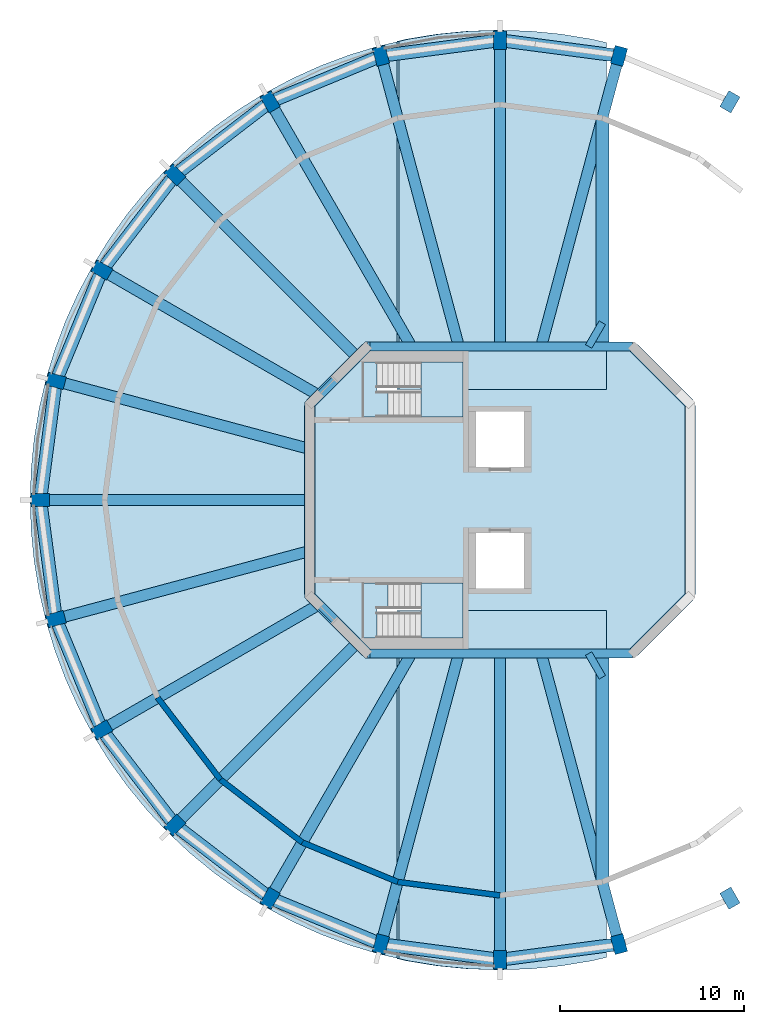
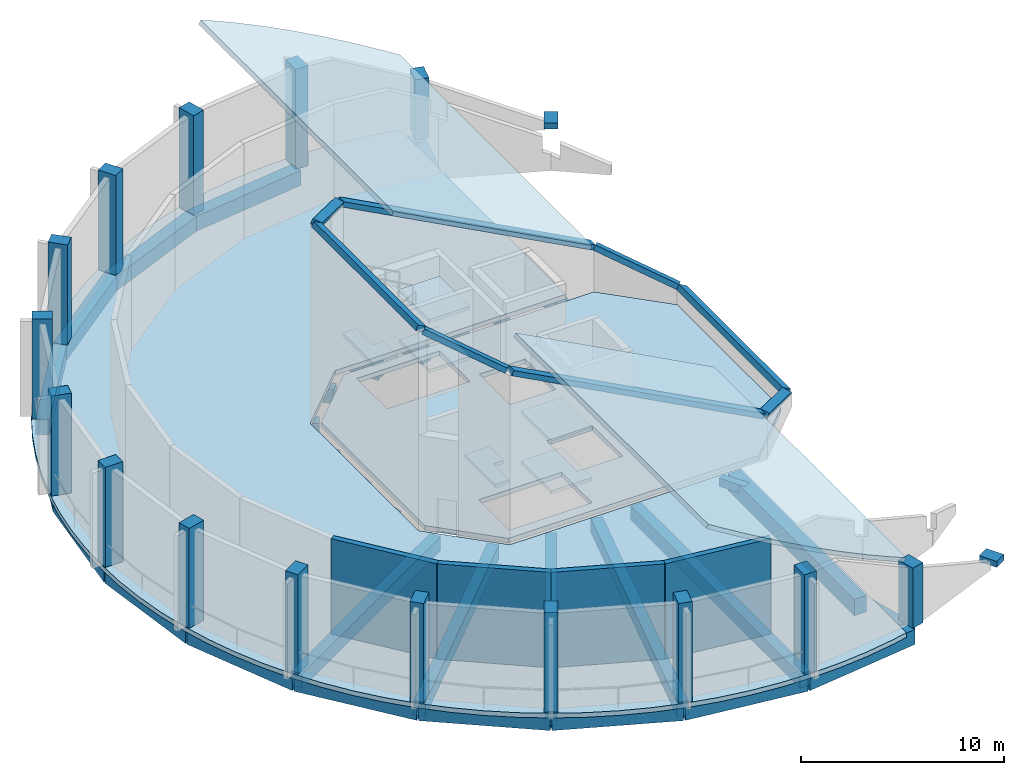
# One storey, part 1 of 5: 41 beams, 17 columns, 10 slabs, 4 walls, 2 elements without a shape of their own.
"""IFC4 building model written with IfcOpenShell, lengths in metres."""

from ifc_helpers import new_model, si_unit, direction, frame, origin, origin_2d, place, context, subcontext, project, spatial, polyline, rectangle, outline, extrude, material, layer, layer_set, material_profile, profile_set, type_object, element, aggregate, save


model = new_model("IFC4")

# Units and contexts
model_context = context("Model", 3, precision=1e-05, world=origin(), true_north=direction((0.0, 1.0)))
body_context = subcontext(model_context, "Body", "Model", "MODEL_VIEW")
ifc_project = project(units=[si_unit("LENGTHUNIT", "METRE"), si_unit("AREAUNIT", "SQUARE_METRE"), si_unit("VOLUMEUNIT", "CUBIC_METRE"), si_unit("PLANEANGLEUNIT", "RADIAN"), si_unit("MASSUNIT", "GRAM", prefix="KILO")], contexts=[model_context])

# Site, building, storey
site_placement = place(None, origin())
site = spatial("IfcSite", under=ifc_project, at=site_placement, CompositionType="ELEMENT")
building_placement = place(site_placement, origin())
building = spatial("IfcBuilding", under=site, at=building_placement, Name="Torre Triforio", CompositionType="ELEMENT")
storey_placement = place(building_placement, frame((0.0, 0.0, 296.800048828125)))
storey = spatial("IfcBuildingStorey", under=building, at=storey_placement, Name="RF-2", CompositionType="ELEMENT", Elevation=296.800048828125)

# Columns
ifc_material_1 = material(Name="Concrete C40", Category="concrete")
ifc_material_profile_1 = material_profile(ifc_material_1, rectangle(XDim=0.699951171875, YDim=1.0, at=origin_2d()), Name="RC 700x1000")
ifc_profile_set_1 = profile_set([ifc_material_profile_1], Name="Concrete C40")
column_type = type_object("IfcColumnType", Name="Pier RC 700x1000 C40", PredefinedType="COLUMN", material=ifc_profile_set_1)
column_1_placement = place(storey_placement, frame((12.5, 21.650634765625, 0.0), z_axis=(0.0, 0.0, 1.0), x_axis=(-0.866025403784, 0.5, 0.0)))
element("IfcColumn", 1, at=column_1_placement, inside=storey, type_object=column_type, Name="COL.R.RF-2.04", PredefinedType="COLUMN", context=body_context, shape_type="SweptSolid", body=[
    extrude(rectangle(XDim=0.699951171875, YDim=1.0, at=origin_2d()), origin(), (0.0, 0.0, 1.0), 0.359619140625),
])
column_2_placement = place(storey_placement, frame((6.470458984375, 24.148193359375, 0.0), z_axis=(0.0, 0.0, 1.0), x_axis=(-0.965925826289, 0.258819045103, 0.0)))
element("IfcColumn", 2, at=column_2_placement, inside=storey, type_object=column_type, Name="COL.R.RF-2.05", PredefinedType="COLUMN", context=body_context, shape_type="SweptSolid", body=[
    extrude(rectangle(XDim=0.699951171875, YDim=1.0, at=origin_2d()), origin(), (0.0, 0.0, 1.0), 3.611083984375),
])
for number, where, z_axis, x_axis, name in (
    (3, (0.0, 25.0, 0.0), (0.0, 0.0, 1.0), (-1.0, 0.0, 0.0), "COL.R.RF-2.06"),
    (4, (-6.470458984375, 24.148193359375, 0.0), (0.0, 0.0, 1.0), (-0.965925826289, -0.258819045103, 0.0), "COL.R.RF-2.07"),
    (5, (-12.5, 21.650634765625, 0.0), (0.0, 0.0, 1.0), (-0.866025403784, -0.5, 0.0), "COL.R.RF-2.08"),
    (6, (-17.677734375, 17.677734375, 0.0), (0.0, 0.0, 1.0), (-0.707106781187, -0.707106781187, 0.0), "COL.R.RF-2.09"),
    (7, (-21.650634765625, 12.5, 0.0), (0.0, 0.0, 1.0), (-0.5, -0.866025403784, 0.0), "COL.R.RF-2.10"),
    (8, (-24.148193359375, 6.470458984375, 0.0), (0.0, 0.0, 1.0), (-0.258819045103, -0.965925826289, 0.0), "COL.R.RF-2.11"),
    (9, (-25.0, 0.0, 0.0), (0.0, 0.0, 1.0), (0.0, -1.0, 0.0), "COL.R.RF-2.12"),
    (10, (-24.148193359375, -6.470458984375, 0.0), (0.0, 0.0, 1.0), (0.258819045103, -0.965925826289, 0.0), "COL.R.RF-2.13"),
    (11, (-21.650634765625, -12.5, 0.0), (0.0, 0.0, 1.0), (0.5, -0.866025403784, 0.0), "COL.R.RF-2.14"),
    (12, (-17.677734375, -17.677734375, 0.0), (0.0, 0.0, 1.0), (0.707106781187, -0.707106781187, 0.0), "COL.R.RF-2.15"),
    (13, (-12.5, -21.650634765625, 0.0), (0.0, 0.0, 1.0), (0.866025403784, -0.5, 0.0), "COL.R.RF-2.16"),
    (14, (-6.470458984375, -24.148193359375, 0.0), (0.0, 0.0, 1.0), (0.965925826289, -0.258819045103, 0.0), "COL.R.RF-2.17"),
    (15, (0.0, -25.0, 0.0), (0.0, 0.0, 1.0), (1.0, 0.0, 0.0), "COL.R.RF-2.18"),
):
    element("IfcColumn", number, at=place(storey_placement, frame(where, z_axis=z_axis, x_axis=x_axis)), inside=storey, type_object=column_type, Name=name, PredefinedType="COLUMN", context=body_context, shape_type="SweptSolid", body=[
        extrude(rectangle(XDim=0.699951171875, YDim=1.0, at=origin_2d()), origin(), (0.0, 0.0, 1.0), 6.0),
    ])
column_3_placement = place(storey_placement, frame((6.470458984375, -24.148193359375, 0.0), z_axis=(0.0, 0.0, 1.0), x_axis=(0.965925826289, 0.258819045103, 0.0)))
element("IfcColumn", 16, at=column_3_placement, inside=storey, type_object=column_type, Name="COL.R.RF-2.19", PredefinedType="COLUMN", context=body_context, shape_type="SweptSolid", body=[
    extrude(rectangle(XDim=0.699951171875, YDim=1.0, at=origin_2d()), origin(), (0.0, 0.0, 1.0), 3.611083984375),
])
column_4_placement = place(storey_placement, frame((12.5, -21.650634765625, 0.0), z_axis=(0.0, 0.0, 1.0), x_axis=(0.866025403784, 0.5, 0.0)))
element("IfcColumn", 17, at=column_4_placement, inside=storey, type_object=column_type, Name="COL.R.RF-2.20", PredefinedType="COLUMN", context=body_context, shape_type="SweptSolid", body=[
    extrude(rectangle(XDim=0.699951171875, YDim=1.0, at=origin_2d()), origin(), (0.0, 0.0, 1.0), 0.359619140625),
])

# Beams
ifc_material_profile_2 = material_profile(ifc_material_1, rectangle(XDim=0.5, YDim=0.300048828125, at=origin_2d()), Name="RC 500x300")
ifc_profile_set_2 = profile_set([ifc_material_profile_2], Name="Concrete C40")
beam_type_1 = type_object("IfcBeamType", Name="Core head ring beam RC 500x300 C40", PredefinedType="BEAM", material=ifc_profile_set_2)
beam_1_placement = place(storey_placement, frame((10.35009765625, -5.1298828125, 0.93115234375), z_axis=(0.0, 1.0, 0.0), x_axis=(-0.882947592859, 0.0, 0.469471562786)))
element("IfcBeam", 18, at=beam_1_placement, inside=storey, type_object=beam_type_1, Name="BM.HEAD.1", PredefinedType="BEAM", context=body_context, shape_type="SweptSolid", body=[
    extrude(rectangle(XDim=0.5, YDim=0.300048828125, at=origin_2d()), origin(), (0.0, 0.0, 1.0), 10.259765625),
])
beam_2_placement = place(storey_placement, frame((-7.1298828125, 8.35009765625, 10.2255859375), z_axis=(0.882941855993, 0.0, -0.469482352102), x_axis=(0.0, 1.0, 0.0)))
element("IfcBeam", 19, at=beam_2_placement, inside=storey, type_object=beam_type_1, Name="BM.HEAD.2", PredefinedType="BEAM", context=body_context, shape_type="SweptSolid", body=[
    extrude(rectangle(XDim=0.5, YDim=0.300048828125, at=origin_2d()), origin(), (0.0, 0.0, 1.0), 16.150390625),
])
beam_3_placement = place(storey_placement, frame((7.27685546875, 8.27685546875, 2.565185546875), z_axis=(0.661880330518, -0.661880330518, -0.351893245384), x_axis=(0.584405646008, 0.749609516789, -0.310733991145)))
element("IfcBeam", 20, at=beam_3_placement, inside=storey, type_object=beam_type_1, Name="BM.HEAD.3", PredefinedType="BEAM", context=body_context, shape_type="SweptSolid", body=[
    extrude(rectangle(XDim=0.5, YDim=0.300048828125, at=origin_2d()), origin(), (0.0, 0.0, 1.0), 4.532470703125),
])
beam_4_placement = place(storey_placement, frame((-10.27685546875, 5.27685546875, 11.898681640625), z_axis=(0.661867784394, 0.661867784394, -0.351940438089), x_axis=(-0.584394568192, 0.749620594605, 0.310728101097)))
element("IfcBeam", 21, at=beam_4_placement, inside=storey, type_object=beam_type_1, Name="BM.HEAD.4", PredefinedType="BEAM", context=body_context, shape_type="SweptSolid", body=[
    extrude(rectangle(XDim=0.5, YDim=0.300048828125, at=origin_2d()), origin(), (0.0, 0.0, 1.0), 4.53271484375),
])
beam_5_placement = place(storey_placement, frame((-7.1298828125, -8.35009765625, 10.2255859375), z_axis=(0.882941855993, 0.0, -0.469482352102), x_axis=(0.0, 1.0, 0.0)))
element("IfcBeam", 22, at=beam_5_placement, inside=storey, type_object=beam_type_1, Name="BM.HEAD.5", PredefinedType="BEAM", context=body_context, shape_type="SweptSolid", body=[
    extrude(rectangle(XDim=0.5, YDim=0.300048828125, at=origin_2d()), origin(), (0.0, 0.0, 1.0), 16.150390625),
])
beam_6_placement = place(storey_placement, frame((10.27685546875, -5.27685546875, 0.97021484375), z_axis=(-0.661880330518, -0.661880330518, 0.351893245384), x_axis=(0.584405646008, -0.749609516789, -0.310733991145)))
element("IfcBeam", 23, at=beam_6_placement, inside=storey, type_object=beam_type_1, Name="BM.HEAD.6", PredefinedType="BEAM", context=body_context, shape_type="SweptSolid", body=[
    extrude(rectangle(XDim=0.5, YDim=0.300048828125, at=origin_2d()), origin(), (0.0, 0.0, 1.0), 4.532470703125),
])
beam_7_placement = place(storey_placement, frame((-7.27685546875, -8.27685546875, 10.303466796875), z_axis=(-0.661867784394, 0.661867784394, 0.351940438089), x_axis=(-0.584394568192, -0.749620594605, 0.310728101097)))
element("IfcBeam", 24, at=beam_7_placement, inside=storey, type_object=beam_type_1, Name="BM.HEAD.7", PredefinedType="BEAM", context=body_context, shape_type="SweptSolid", body=[
    extrude(rectangle(XDim=0.5, YDim=0.300048828125, at=origin_2d()), origin(), (0.0, 0.0, 1.0), 4.53271484375),
])
beam_8_placement = place(storey_placement, frame((-10.35009765625, -5.1298828125, 11.937744140625), z_axis=(0.0, 1.0, 0.0), x_axis=(-0.882947592859, 0.0, 0.469471562786)))
element("IfcBeam", 25, at=beam_8_placement, inside=storey, type_object=beam_type_1, Name="BM.HEAD.8", PredefinedType="BEAM", context=body_context, shape_type="SweptSolid", body=[
    extrude(rectangle(XDim=0.5, YDim=0.300048828125, at=origin_2d()), origin(), (0.0, 0.0, 1.0), 10.259765625),
])
ifc_material_profile_3 = material_profile(ifc_material_1, rectangle(XDim=0.699951171875, YDim=1.0, at=origin_2d()), Name="RC 700x1000")
ifc_profile_set_3 = profile_set([ifc_material_profile_3], Name="Concrete C40")
beam_type_2 = type_object("IfcBeamType", Name="Edge beam RC 700x1000 C40", PredefinedType="BEAM", material=ifc_profile_set_3)
for number, where, z_axis, x_axis, name in (
    (26, (5.564697265625, -20.767333984375, -0.780029296875), (0.0, 1.0, 0.0), (-1.0, 0.0, 0.0), "BM.E.RF-2.1"),
    (27, (5.564697265625, 8.35009765625, -0.780029296875), (0.0, 1.0, 0.0), (-1.0, 0.0, 0.0), "BM.E.RF-2.2"),
):
    element("IfcBeam", number, at=place(storey_placement, frame(where, z_axis=z_axis, x_axis=x_axis)), inside=storey, type_object=beam_type_2, Name=name, PredefinedType="BEAM", context=body_context, shape_type="SweptSolid", body=[
        extrude(rectangle(XDim=0.699951171875, YDim=1.0, at=origin_2d()), origin(), (0.0, 0.0, 1.0), 12.417236328125),
    ])
ifc_material_profile_4 = material_profile(ifc_material_1, rectangle(XDim=0.39990234375, YDim=0.5, at=origin_2d()), Name="RC 400x500")
ifc_profile_set_4 = profile_set([ifc_material_profile_4], Name="Concrete C40")
beam_type_3 = type_object("IfcBeamType", Name="Radial beam RC 400x500 C40", PredefinedType="BEAM", material=ifc_profile_set_4)
for number, where, z_axis, x_axis, name in (
    (28, (4.82080078125, 8.35009765625, -0.530029296875), (0.500110782645, 0.865961433946, 0.0), (-0.865961433946, 0.500110782645, 0.0), "BM.R.RF-2.04"),
    (29, (4.82080078125, -8.35009765625, -0.530029296875), (0.500110782645, -0.865961433946, 0.0), (0.865961433946, 0.500110782645, 0.0), "BM.R.RF-2.20"),
):
    element("IfcBeam", number, at=place(storey_placement, frame(where, z_axis=z_axis, x_axis=x_axis)), inside=storey, type_object=beam_type_3, Name=name, PredefinedType="BEAM", context=body_context, shape_type="SweptSolid", body=[
        extrude(rectangle(XDim=0.39990234375, YDim=0.5, at=origin_2d()), origin(), (0.0, 0.0, 1.0), 1.487548828125),
    ])
ifc_material_profile_5 = material_profile(ifc_material_1, rectangle(XDim=0.60009765625, YDim=0.85009765625, at=origin_2d()), Name="RC 600x850")
ifc_profile_set_5 = profile_set([ifc_material_profile_5], Name="Concrete C40")
beam_type_4 = type_object("IfcBeamType", Name="Radial beam RC 600x850 C40", PredefinedType="BEAM", material=ifc_profile_set_5)
beam_9_placement = place(storey_placement, frame((2.2373046875, 8.35009765625, -0.705078125), z_axis=(0.258822884948, 0.965924797397, 0.0), x_axis=(-0.965924797397, 0.258822884948, 0.0)))
element("IfcBeam", 30, at=beam_9_placement, inside=storey, type_object=beam_type_4, Name="BM.R.RF-2.05", PredefinedType="BEAM", context=body_context, shape_type="SweptSolid", body=[
    extrude(rectangle(XDim=0.60009765625, YDim=0.85009765625, at=origin_2d()), origin(), (0.0, 0.0, 1.0), 16.35546875),
])
beam_10_placement = place(storey_placement, frame((0.0, 8.35009765625, -0.705078125), z_axis=(0.0, 1.0, 0.0), x_axis=(-1.0, 0.0, 0.0)))
element("IfcBeam", 31, at=beam_10_placement, inside=storey, type_object=beam_type_4, Name="BM.R.RF-2.06", PredefinedType="BEAM", context=body_context, shape_type="SweptSolid", body=[
    extrude(rectangle(XDim=0.60009765625, YDim=0.85009765625, at=origin_2d()), origin(), (0.0, 0.0, 1.0), 16.64990234375),
])
beam_11_placement = place(storey_placement, frame((-2.2373046875, 8.35009765625, -0.705078125), z_axis=(-0.258822884948, 0.965924797397, 0.0), x_axis=(-0.965924797397, -0.258822884948, 0.0)))
element("IfcBeam", 32, at=beam_11_placement, inside=storey, type_object=beam_type_4, Name="BM.R.RF-2.07", PredefinedType="BEAM", context=body_context, shape_type="SweptSolid", body=[
    extrude(rectangle(XDim=0.60009765625, YDim=0.85009765625, at=origin_2d()), origin(), (0.0, 0.0, 1.0), 16.35546875),
])
beam_12_placement = place(storey_placement, frame((-4.82080078125, 8.35009765625, -0.705078125), z_axis=(-0.500006374672, 0.866021723334, 0.0), x_axis=(-0.866021723334, -0.500006374672, 0.0)))
element("IfcBeam", 33, at=beam_12_placement, inside=storey, type_object=beam_type_4, Name="BM.R.RF-2.08", PredefinedType="BEAM", context=body_context, shape_type="SweptSolid", body=[
    extrude(rectangle(XDim=0.60009765625, YDim=0.85009765625, at=origin_2d()), origin(), (0.0, 0.0, 1.0), 15.358154296875),
])
beam_13_placement = place(storey_placement, frame((-7.77685546875, 7.77685546875, -0.705078125), z_axis=(-0.707106781187, 0.707106781187, 0.0), x_axis=(-0.707106781187, -0.707106781187, 0.0)))
element("IfcBeam", 34, at=beam_13_placement, inside=storey, type_object=beam_type_4, Name="BM.R.RF-2.09", PredefinedType="BEAM", context=body_context, shape_type="SweptSolid", body=[
    extrude(rectangle(XDim=0.60009765625, YDim=0.85009765625, at=origin_2d()), origin(), (0.0, 0.0, 1.0), 14.001953125),
])
beam_14_placement = place(storey_placement, frame((-9.860595703125, 5.693115234375, -0.705078125), z_axis=(-0.866028503669, 0.499994630804, 0.0), x_axis=(-0.499994630804, -0.866028503669, 0.0)))
element("IfcBeam", 35, at=beam_14_placement, inside=storey, type_object=beam_type_4, Name="BM.R.RF-2.10", PredefinedType="BEAM", context=body_context, shape_type="SweptSolid", body=[
    extrude(rectangle(XDim=0.60009765625, YDim=0.85009765625, at=origin_2d()), origin(), (0.0, 0.0, 1.0), 13.614013671875),
])
beam_15_placement = place(storey_placement, frame((-10.35009765625, 2.773193359375, -0.705078125), z_axis=(-0.965924478271, 0.258824075923, 0.0), x_axis=(-0.258824075923, -0.965924478271, 0.0)))
element("IfcBeam", 36, at=beam_15_placement, inside=storey, type_object=beam_type_4, Name="BM.R.RF-2.11", PredefinedType="BEAM", context=body_context, shape_type="SweptSolid", body=[
    extrude(rectangle(XDim=0.60009765625, YDim=0.85009765625, at=origin_2d()), origin(), (0.0, 0.0, 1.0), 14.284912109375),
])
beam_16_placement = place(storey_placement, frame((-10.35009765625, 0.0, -0.705078125), z_axis=(-1.0, 0.0, 0.0), x_axis=(0.0, -1.0, 0.0)))
element("IfcBeam", 37, at=beam_16_placement, inside=storey, type_object=beam_type_4, Name="BM.R.RF-2.12", PredefinedType="BEAM", context=body_context, shape_type="SweptSolid", body=[
    extrude(rectangle(XDim=0.60009765625, YDim=0.85009765625, at=origin_2d()), origin(), (0.0, 0.0, 1.0), 14.64990234375),
])
beam_17_placement = place(storey_placement, frame((-10.35009765625, -2.773193359375, -0.705078125), z_axis=(-0.965924478271, -0.258824075923, 0.0), x_axis=(0.258824075923, -0.965924478271, 0.0)))
element("IfcBeam", 38, at=beam_17_placement, inside=storey, type_object=beam_type_4, Name="BM.R.RF-2.13", PredefinedType="BEAM", context=body_context, shape_type="SweptSolid", body=[
    extrude(rectangle(XDim=0.60009765625, YDim=0.85009765625, at=origin_2d()), origin(), (0.0, 0.0, 1.0), 14.284912109375),
])
beam_18_placement = place(storey_placement, frame((-9.860595703125, -5.693115234375, -0.705078125), z_axis=(-0.866028503669, -0.499994630804, 0.0), x_axis=(0.499994630804, -0.866028503669, 0.0)))
element("IfcBeam", 39, at=beam_18_placement, inside=storey, type_object=beam_type_4, Name="BM.R.RF-2.14", PredefinedType="BEAM", context=body_context, shape_type="SweptSolid", body=[
    extrude(rectangle(XDim=0.60009765625, YDim=0.85009765625, at=origin_2d()), origin(), (0.0, 0.0, 1.0), 13.614013671875),
])
beam_19_placement = place(storey_placement, frame((-7.77685546875, -7.77685546875, -0.705078125), z_axis=(-0.707106781187, -0.707106781187, 0.0), x_axis=(0.707106781187, -0.707106781187, 0.0)))
element("IfcBeam", 40, at=beam_19_placement, inside=storey, type_object=beam_type_4, Name="BM.R.RF-2.15", PredefinedType="BEAM", context=body_context, shape_type="SweptSolid", body=[
    extrude(rectangle(XDim=0.60009765625, YDim=0.85009765625, at=origin_2d()), origin(), (0.0, 0.0, 1.0), 14.001953125),
])
beam_20_placement = place(storey_placement, frame((-4.82080078125, -8.35009765625, -0.705078125), z_axis=(-0.500006374672, -0.866021723334, 0.0), x_axis=(0.866021723334, -0.500006374672, 0.0)))
element("IfcBeam", 41, at=beam_20_placement, inside=storey, type_object=beam_type_4, Name="BM.R.RF-2.16", PredefinedType="BEAM", context=body_context, shape_type="SweptSolid", body=[
    extrude(rectangle(XDim=0.60009765625, YDim=0.85009765625, at=origin_2d()), origin(), (0.0, 0.0, 1.0), 15.358154296875),
])
beam_21_placement = place(storey_placement, frame((-2.2373046875, -8.35009765625, -0.705078125), z_axis=(-0.258822884948, -0.965924797397, 0.0), x_axis=(0.965924797397, -0.258822884948, 0.0)))
element("IfcBeam", 42, at=beam_21_placement, inside=storey, type_object=beam_type_4, Name="BM.R.RF-2.17", PredefinedType="BEAM", context=body_context, shape_type="SweptSolid", body=[
    extrude(rectangle(XDim=0.60009765625, YDim=0.85009765625, at=origin_2d()), origin(), (0.0, 0.0, 1.0), 16.35546875),
])
beam_22_placement = place(storey_placement, frame((0.0, -8.35009765625, -0.705078125), z_axis=(0.0, -1.0, 0.0), x_axis=(1.0, 0.0, 0.0)))
element("IfcBeam", 43, at=beam_22_placement, inside=storey, type_object=beam_type_4, Name="BM.R.RF-2.18", PredefinedType="BEAM", context=body_context, shape_type="SweptSolid", body=[
    extrude(rectangle(XDim=0.60009765625, YDim=0.85009765625, at=origin_2d()), origin(), (0.0, 0.0, 1.0), 16.64990234375),
])
beam_23_placement = place(storey_placement, frame((2.2373046875, -8.35009765625, -0.705078125), z_axis=(0.258822884948, -0.965924797397, 0.0), x_axis=(0.965924797397, 0.258822884948, 0.0)))
element("IfcBeam", 44, at=beam_23_placement, inside=storey, type_object=beam_type_4, Name="BM.R.RF-2.19", PredefinedType="BEAM", context=body_context, shape_type="SweptSolid", body=[
    extrude(rectangle(XDim=0.60009765625, YDim=0.85009765625, at=origin_2d()), origin(), (0.0, 0.0, 1.0), 16.35546875),
])
ifc_material_profile_6 = material_profile(ifc_material_1, rectangle(XDim=0.699951171875, YDim=0.89990234375, at=origin_2d()), Name="RC 700x900")
ifc_profile_set_6 = profile_set([ifc_material_profile_6], Name="Concrete C40")
beam_type_5 = type_object("IfcBeamType", Name="Spandrel beam RC 700x900 C40", PredefinedType="SPANDREL", material=ifc_profile_set_6)
for number, where, z_axis, x_axis, name in (
    (45, (6.470458984375, 24.148193359375, -0.72998046875), (-0.991445762482, 0.130519347444, 0.0), (-0.130519347444, -0.991445762482, 0.0), "BM.S.RF-2.05"),
    (46, (0.0, 25.0, -0.72998046875), (-0.991445762482, -0.130519347444, 0.0), (0.130519347444, -0.991445762482, 0.0), "BM.S.RF-2.06"),
    (47, (-6.470458984375, 24.148193359375, -0.72998046875), (-0.923877315173, -0.382688785449, 0.0), (0.382688785449, -0.923877315173, 0.0), "BM.S.RF-2.07"),
    (48, (-12.5, 21.650634765625, -0.72998046875), (-0.793361845441, -0.608750344722, 0.0), (0.608750344722, -0.793361845441, 0.0), "BM.S.RF-2.08"),
    (49, (-17.677734375, 17.677734375, -0.72998046875), (-0.608750344722, -0.793361845441, 0.0), (0.793361845441, -0.608750344722, 0.0), "BM.S.RF-2.09"),
    (50, (-21.650634765625, 12.5, -0.72998046875), (-0.382688785449, -0.923877315173, 0.0), (0.923877315173, -0.382688785449, 0.0), "BM.S.RF-2.10"),
    (51, (-24.148193359375, 6.470458984375, -0.72998046875), (-0.130519347444, -0.991445762482, 0.0), (0.991445762482, -0.130519347444, 0.0), "BM.S.RF-2.11"),
    (52, (-25.0, 0.0, -0.72998046875), (0.130519347444, -0.991445762482, 0.0), (0.991445762482, 0.130519347444, 0.0), "BM.S.RF-2.12"),
    (53, (-24.148193359375, -6.470458984375, -0.72998046875), (0.382688785449, -0.923877315173, 0.0), (0.923877315173, 0.382688785449, 0.0), "BM.S.RF-2.13"),
    (54, (-21.650634765625, -12.5, -0.72998046875), (0.608750344722, -0.793361845441, 0.0), (0.793361845441, 0.608750344722, 0.0), "BM.S.RF-2.14"),
    (55, (-17.677734375, -17.677734375, -0.72998046875), (0.793361845441, -0.608750344722, 0.0), (0.608750344722, 0.793361845441, 0.0), "BM.S.RF-2.15"),
    (56, (-12.5, -21.650634765625, -0.72998046875), (0.923877315173, -0.382688785449, 0.0), (0.382688785449, 0.923877315173, 0.0), "BM.S.RF-2.16"),
    (57, (-6.470458984375, -24.148193359375, -0.72998046875), (0.991445762482, -0.130519347444, 0.0), (0.130519347444, 0.991445762482, 0.0), "BM.S.RF-2.17"),
    (58, (0.0, -25.0, -0.72998046875), (0.991445762482, 0.130519347444, 0.0), (-0.130519347444, 0.991445762482, 0.0), "BM.S.RF-2.18"),
):
    element("IfcBeam", number, at=place(storey_placement, frame(where, z_axis=z_axis, x_axis=x_axis)), inside=storey, type_object=beam_type_5, Name=name, PredefinedType="SPANDREL", context=body_context, shape_type="SweptSolid", body=[
        extrude(rectangle(XDim=0.699951171875, YDim=0.89990234375, at=origin_2d()), origin(), (0.0, 0.0, 1.0), 6.5263671875),
    ])

# Slabs
ifc_layer_1 = layer(ifc_material_1, 0.280029296875)
ifc_layer_set_1 = layer_set([ifc_layer_1], Name="Concrete C40")
slab_type_1 = type_object("IfcSlabType", Name="Core floor slab 280 mm C40 REI 120", PredefinedType="FLOOR", material=ifc_layer_set_1)
slab_1_placement = place(storey_placement, frame((0.0, 0.0, -0.280029296875)))
element("IfcSlab", 59, at=slab_1_placement, inside=storey, type_object=slab_type_1, Name="Core floor slab", PredefinedType="FLOOR", context=body_context, shape_type="SweptSolid", body=[
    extrude(outline(polyline([(-10.10009765625, 5.10009765625), (-7.10009765625, 8.10009765625), (7.10009765625, 8.10009765625), (10.10009765625, 5.10009765625), (10.10009765625, -5.10009765625), (7.10009765625, -8.10009765625), (-7.10009765625, -8.10009765625), (-10.10009765625, -5.10009765625), (-10.10009765625, 5.10009765625)]), holes=[polyline([(-6.696044921875, -7.5), (-2.0, -7.5), (-2.0, -4.5), (-6.696044921875, -4.5), (-6.696044921875, -7.5)]), polyline([(-1.300048828125, -4.800048828125), (1.300048828125, -4.800048828125), (1.300048828125, -1.800048828125), (-1.300048828125, -1.800048828125), (-1.300048828125, -4.800048828125)]), polyline([(-1.300048828125, 1.800048828125), (1.300048828125, 1.800048828125), (1.300048828125, 4.800048828125), (-1.300048828125, 4.800048828125), (-1.300048828125, 1.800048828125)]), polyline([(-6.696044921875, 4.5), (-2.0, 4.5), (-2.0, 7.5), (-6.696044921875, 7.5), (-6.696044921875, 4.5)])]), origin(), (0.0, 0.0, 1.0), 0.280029296875),
])
ifc_layer_2 = layer(ifc_material_1, 0.25)
ifc_layer_set_2 = layer_set([ifc_layer_2], Name="Concrete C40")
slab_type_2 = type_object("IfcSlabType", Name="Crown roof slab 250 C40", PredefinedType="ROOF", material=ifc_layer_set_2)
slab_2_placement = place(storey_placement, frame((-4.984619140625, 25.05908203125, 10.2353515625), z_axis=(0.469469313593, 3.417507e-06, 0.882948788766), x_axis=(-0.864815093366, -0.201625375735, 0.459828296374)))
element("IfcSlab", 60, at=slab_2_placement, inside=storey, type_object=slab_type_2, Name="SL.ROOF.N.RF-2", PredefinedType="ROOF", context=body_context, shape_type="SweptSolid", body=[
    extrude(outline(polyline([(0.0, 0.0), (0.5751597343578905, -1.734723475976807e-17), (4.394572461074511, 18.55407505648326), (-8.123337363670807, 21.13092482942227), (-11.92768725714162, 2.650022524511795), (-11.058884683858086, 2.276505014982254), (-9.283761060615515, 1.633165809444016), (-7.471216986748693, 1.092545556260371), (-5.628377575438393, 0.6573572817673947), (-3.763597651424781, 0.3293208504828967), (-1.8847829883773415, 0.11006369140590037), (0.0, 0.0)])), origin(), (0.0, 0.0, -1.0), 0.25),
])
slab_3_placement = place(storey_placement, frame((4.984619140625, -25.05908203125, 4.934814453125), z_axis=(0.469469313593, -3.417507e-06, 0.882948788766), x_axis=(0.864816060159, 0.201623616164, -0.459827249624)))
element("IfcSlab", 61, at=slab_3_placement, inside=storey, type_object=slab_type_2, Name="SL.ROOF.S.RF-2", PredefinedType="ROOF", context=body_context, shape_type="SweptSolid", body=[
    extrude(outline(polyline([(0.0, 0.0), (0.9456919378260779, -4.163336342344337e-17), (4.750008630998737, 18.48090913926164), (-7.767905822943721, 21.057736424224625), (-11.587285217909884, 2.5036545063304625), (-11.058888773706391, 2.2764851470855474), (-9.283876257320173, 1.6331722402394413), (-7.471218949567302, 1.092532133940721), (-5.6284910191116495, 0.6573702794857262), (-3.7635982431259434, 0.3293140888552343), (-1.884895448831372, 0.11008341451459328), (0.0, 0.0)])), origin(), (0.0, 0.0, -1.0), 0.25),
])
ifc_layer_3 = layer(ifc_material_1, 0.280029296875)
ifc_layer_set_3 = layer_set([ifc_layer_3], Name="Concrete C40")
slab_type_3 = type_object("IfcSlabType", Name="Floor slab 280 C40", PredefinedType="FLOOR", material=ifc_layer_set_3)
slab_4_placement = place(storey_placement, frame((0.0, 0.0, -0.280029296875)))
element("IfcSlab", 62, at=slab_4_placement, inside=storey, type_object=slab_type_3, Name="SL.RF-2", PredefinedType="FLOOR", context=body_context, shape_type="SweptSolid", body=[
    extrude(outline(polyline([(5.802490234375, 8.60009765625), (5.802490234375, 24.868408203125), (4.984619140625, 25.05908203125), (3.3349609375, 25.331298828125), (1.671142578125, 25.495361328125), (0.0, 25.550048828125), (-1.671142578125, 25.495361328125), (-3.3349609375, 25.331298828125), (-4.984619140625, 25.05908203125), (-6.61279296875, 24.679443359375), (-8.212890625, 24.194091796875), (-9.777587890625, 23.605224609375), (-11.300537109375, 22.9150390625), (-12.77490234375, 22.126953125), (-14.19482421875, 21.244140625), (-15.553955078125, 20.270263671875), (-16.84619140625, 19.20947265625), (-18.066650390625, 18.066650390625), (-19.20947265625, 16.84619140625), (-20.270263671875, 15.553955078125), (-21.244140625, 14.19482421875), (-22.126953125, 12.77490234375), (-22.9150390625, 11.300537109375), (-23.605224609375, 9.777587890625), (-24.194091796875, 8.212890625), (-24.679443359375, 6.61279296875), (-25.05908203125, 4.984619140625), (-25.331298828125, 3.3349609375), (-25.495361328125, 1.671142578125), (-25.550048828125, 0.0), (-25.495361328125, -1.671142578125), (-25.331298828125, -3.3349609375), (-25.05908203125, -4.984619140625), (-24.679443359375, -6.61279296875), (-24.194091796875, -8.212890625), (-23.605224609375, -9.777587890625), (-22.9150390625, -11.300537109375), (-22.126953125, -12.77490234375), (-21.244140625, -14.19482421875), (-20.270263671875, -15.553955078125), (-19.20947265625, -16.84619140625), (-18.066650390625, -18.066650390625), (-16.84619140625, -19.20947265625), (-15.553955078125, -20.270263671875), (-14.19482421875, -21.244140625), (-12.77490234375, -22.126953125), (-11.300537109375, -22.9150390625), (-9.777587890625, -23.605224609375), (-8.212890625, -24.194091796875), (-6.61279296875, -24.679443359375), (-4.984619140625, -25.05908203125), (-3.3349609375, -25.331298828125), (-1.671142578125, -25.495361328125), (0.0, -25.550048828125), (1.671142578125, -25.495361328125), (3.3349609375, -25.331298828125), (4.984619140625, -25.05908203125), (5.802490234375, -24.868408203125), (5.802490234375, -8.60009765625), (-7.30712890625, -8.60009765625), (-10.60009765625, -5.30712890625), (-10.60009765625, 5.30712890625), (-7.30712890625, 8.60009765625), (5.802490234375, 8.60009765625)])), origin(), (0.0, 0.0, 1.0), 0.280029296875),
])

# Stair, slabs
stair_type = type_object("IfcStairType", Name="STAIR DOUBLE RETURN", PredefinedType="DOUBLE_RETURN_STAIR", material=ifc_material_1)
stair_1_placement = place(storey_placement, origin())
stair_1 = element("IfcStair", 63, at=stair_1_placement, inside=storey, type_object=stair_type, Name="Exit stair 1", PredefinedType="DOUBLE_RETURN_STAIR")
ifc_layer_4 = layer(ifc_material_1, 0.199951171875)
ifc_layer_set_4 = layer_set([ifc_layer_4], Name="Concrete C40")
slab_type_4 = type_object("IfcSlabType", Name="STAIR LANDING 200", PredefinedType="LANDING", material=ifc_layer_set_4)
slab_5_placement = place(storey_placement, frame((0.0, 0.0, 1.300048828125)))
slab_5 = element("IfcSlab", 64, at=slab_5_placement, type_object=slab_type_4, Name="ST1 landing 1", PredefinedType="LANDING", context=body_context, shape_type="SweptSolid", body=[
    extrude(outline(polyline([(-2.0, 4.5), (-2.0, 7.5), (-4.300048828125, 7.5), (-4.300048828125, 4.5), (-2.0, 4.5)])), origin(), (0.0, 0.0, 1.0), 0.199951171875),
])
slab_6_placement = place(storey_placement, frame((0.0, 0.0, 2.800048828125)))
slab_6 = element("IfcSlab", 65, at=slab_6_placement, type_object=slab_type_4, Name="ST1 landing 2", PredefinedType="LANDING", context=body_context, shape_type="SweptSolid", body=[
    extrude(outline(polyline([(-6.10009765625, 5.89990234375), (-6.10009765625, 4.5), (-6.696044921875, 4.5), (-6.699951171875, 4.5), (-7.5, 4.5), (-7.5, 7.5), (-6.696044921875, 7.5), (-6.696044921875, 5.89990234375), (-6.10009765625, 5.89990234375)])), origin(), (0.0, 0.0, 1.0), 0.199951171875),
])
slab_7_placement = place(storey_placement, frame((0.0, 0.0, 4.300048828125)))
slab_7 = element("IfcSlab", 66, at=slab_7_placement, type_object=slab_type_4, Name="ST1 landing 3", PredefinedType="LANDING", context=body_context, shape_type="SweptSolid", body=[
    extrude(outline(polyline([(-2.0, 4.5), (-2.0, 7.5), (-4.300048828125, 7.5), (-4.300048828125, 4.5), (-2.0, 4.5)])), origin(), (0.0, 0.0, 1.0), 0.199951171875),
])
aggregate(stair_1, [slab_5, slab_6, slab_7])

stair_2_placement = place(storey_placement, origin())
stair_2 = element("IfcStair", 67, at=stair_2_placement, inside=storey, type_object=stair_type, Name="Exit stair 3", PredefinedType="DOUBLE_RETURN_STAIR")
slab_8_placement = place(storey_placement, frame((0.0, 0.0, 1.300048828125)))
slab_8 = element("IfcSlab", 68, at=slab_8_placement, type_object=slab_type_4, Name="ST3 landing 1", PredefinedType="LANDING", context=body_context, shape_type="SweptSolid", body=[
    extrude(outline(polyline([(-2.0, -7.5), (-2.0, -4.5), (-4.300048828125, -4.5), (-4.300048828125, -7.5), (-2.0, -7.5)])), origin(), (0.0, 0.0, 1.0), 0.199951171875),
])
slab_9_placement = place(storey_placement, frame((0.0, 0.0, 2.800048828125)))
slab_9 = element("IfcSlab", 69, at=slab_9_placement, type_object=slab_type_4, Name="ST3 landing 2", PredefinedType="LANDING", context=body_context, shape_type="SweptSolid", body=[
    extrude(outline(polyline([(-6.696044921875, -7.5), (-7.5, -7.5), (-7.5, -4.5), (-6.699951171875, -4.5), (-6.696044921875, -4.5), (-6.10009765625, -4.5), (-6.10009765625, -5.89990234375), (-6.696044921875, -5.89990234375), (-6.696044921875, -7.5)])), origin(), (0.0, 0.0, 1.0), 0.199951171875),
])
slab_10_placement = place(storey_placement, frame((0.0, 0.0, 4.300048828125)))
slab_10 = element("IfcSlab", 70, at=slab_10_placement, type_object=slab_type_4, Name="ST3 landing 3", PredefinedType="LANDING", context=body_context, shape_type="SweptSolid", body=[
    extrude(outline(polyline([(-2.0, -7.5), (-2.0, -4.5), (-4.300048828125, -4.5), (-4.300048828125, -7.5), (-2.0, -7.5)])), origin(), (0.0, 0.0, 1.0), 0.199951171875),
])
aggregate(stair_2, [slab_8, slab_9, slab_10])

# Walls
ifc_material_2 = material(Name="Limestone cladding", Category="masonry")
ifc_layer_5 = layer(ifc_material_2, 0.10009765625)
ifc_layer_6 = layer(ifc_material_1, 0.199951171875)
ifc_layer_set_5 = layer_set([ifc_layer_5, ifc_layer_6], Name="Limestone cladding / Concrete C40")
wall_type = type_object("IfcWallType", Name="Stone-faced composite wall 300", PredefinedType="STANDARD", material=ifc_layer_set_5)
for number, where, z_axis, x_axis, name in (
    (71, (-18.619384765625, -10.75, 0.0), (0.0, 0.0, 1.0), (0.608726467567, -0.793380165925, 0.0), "Crown wall RF-2 bay 15"),
    (72, (-15.202880859375, -15.202880859375, 0.0), (0.0, 0.0, 1.0), (0.793380165925, -0.608726467567, 0.0), "Crown wall RF-2 bay 16"),
    (73, (-10.75, -18.619384765625, 0.0), (0.0, 0.0, 1.0), (0.92387156362, -0.382702670405, 0.0), "Crown wall RF-2 bay 17"),
):
    element("IfcWall", number, at=place(storey_placement, frame(where, z_axis=z_axis, x_axis=x_axis)), inside=storey, type_object=wall_type, Name=name, PredefinedType="STANDARD", context=body_context, shape_type="SweptSolid", body=[
        extrude(outline(polyline([(0.0, 0.0), (5.612548828125, 0.0), (5.612548828125, 5.719970703125), (0.0, 5.719970703125), (0.0, 0.0)])), frame((0.0, 0.14990234375, 0.0), z_axis=(0.0, -1.0, 0.0), x_axis=(1.0, 0.0, 0.0)), (0.0, 0.0, 1.0), 0.300048828125),
    ])
wall_placement = place(storey_placement, frame((-5.564697265625, -20.767333984375, 0.0), z_axis=(0.0, 0.0, 1.0), x_axis=(0.991443484334, -0.130536651449, 0.0)))
element("IfcWall", 74, at=wall_placement, inside=storey, type_object=wall_type, Name="Crown wall RF-2 bay 18", PredefinedType="STANDARD", context=body_context, shape_type="SweptSolid", body=[
    extrude(outline(polyline([(0.0, 0.0), (5.61279296875, 0.0), (5.612548828125, 5.719970703125), (0.0, 5.719970703125), (0.0, 0.0)])), frame((0.0, 0.14990234375, 0.0), z_axis=(0.0, -1.0, 0.0), x_axis=(1.0, 0.0, 0.0)), (0.0, 0.0, 1.0), 0.300048828125),
])

save(model, "model.ifc")
